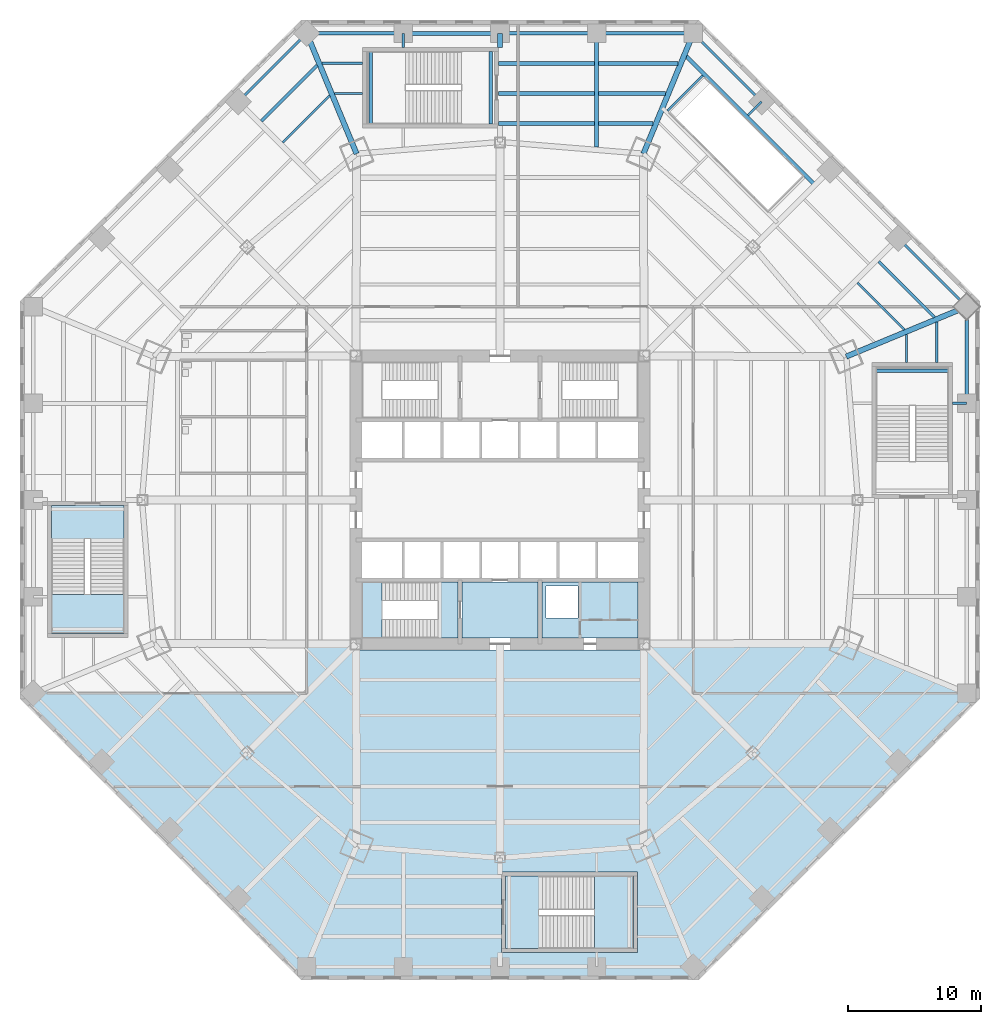
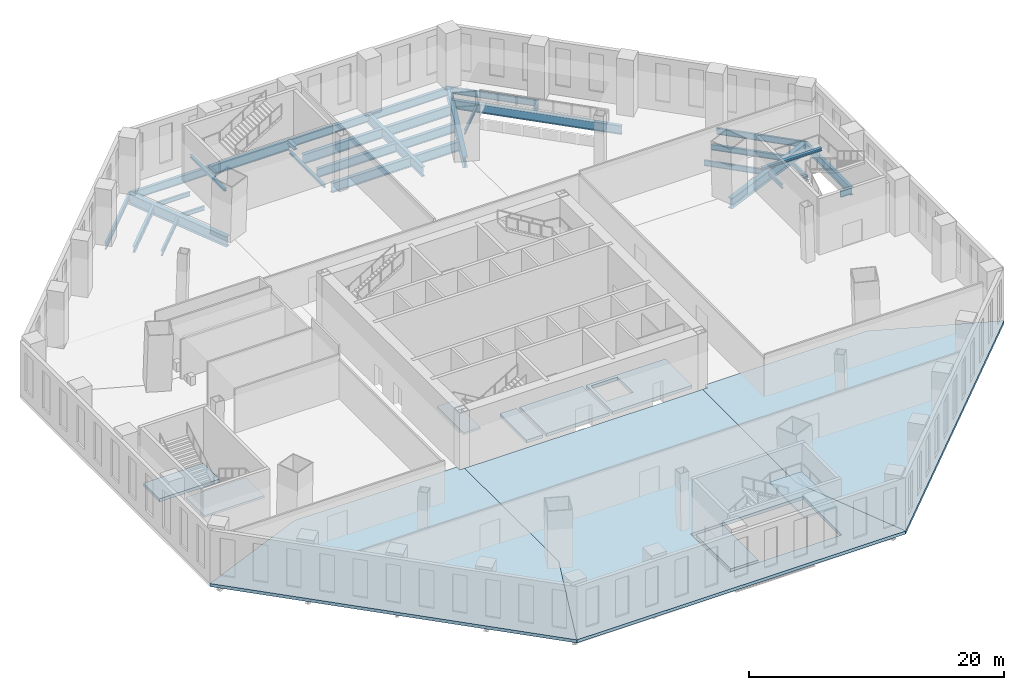
# One storey, part 6 of 18: 31 beams, 11 slabs, 4 members, 3 elements without a shape of their own.
"""IFC4 building model written with IfcOpenShell, lengths in metres."""

from ifc_helpers import new_model, si_unit, direction, frame, origin, origin_2d, place, context, subcontext, project, spatial, polyline, i_section, outline, extrude, source, transform, mapped, material, layer, layer_set, material_profile, profile_set, type_object, type_shapes, element, aggregate, save


model = new_model("IFC4")

# Units and contexts
model_context = context("Model", 3, precision=1e-05, world=origin(), true_north=direction((0.0, 1.0)))
body_context = subcontext(model_context, "Body", "Model", "MODEL_VIEW")
ifc_project = project(units=[si_unit("LENGTHUNIT", "METRE"), si_unit("AREAUNIT", "SQUARE_METRE"), si_unit("VOLUMEUNIT", "CUBIC_METRE"), si_unit("PLANEANGLEUNIT", "RADIAN"), si_unit("MASSUNIT", "GRAM", prefix="KILO")], contexts=[model_context])

# Site, building, storey
site_placement = place(None, origin())
site = spatial("IfcSite", under=ifc_project, at=site_placement, CompositionType="ELEMENT")
building_placement = place(site_placement, origin())
building = spatial("IfcBuilding", under=site, at=building_placement, Name="Mashrafa Tower", CompositionType="ELEMENT")
storey_placement = place(building_placement, frame((0.0, 0.0, 13.199951171875)))
storey = spatial("IfcBuildingStorey", under=building, at=storey_placement, Name="L02", CompositionType="ELEMENT", Elevation=13.199951171875)

# Beams
ifc_material_1 = material(Name="Steel ASTM A992", Category="steel")
ifc_material_profile_1 = material_profile(ifc_material_1, i_section(OverallWidth=0.140380859375, OverallDepth=0.40380859375, WebThickness=0.007080078125, FlangeThickness=0.01123046875, FilletRadius=0.01025390625, at=origin_2d()), Name="W16X31")
ifc_profile_set_1 = profile_set([ifc_material_profile_1], Name="Steel ASTM A992")
beam_type_1 = type_object("IfcBeamType", Name="Beam W16X31", PredefinedType="BEAM", material=ifc_profile_set_1)
beam_1_placement = place(storey_placement, frame((12.56591796875, 29.200439453125, -0.501953125), z_axis=(0.707139588238, 0.707073972613, 0.0), x_axis=(-0.707073972613, 0.707139588238, 0.0)))
element("IfcBeam", 1, at=beam_1_placement, inside=storey, type_object=beam_type_1, Name="Header beam L02 122", PredefinedType="BEAM", context=body_context, shape_type="SweptSolid", body=[
    extrude(i_section(OverallWidth=0.140380859375, OverallDepth=0.40380859375, WebThickness=0.007080078125, FlangeThickness=0.01123046875, FilletRadius=0.01025390625, at=origin_2d()), origin(), (0.0, 0.0, 1.0), 3.720703125),
])
ifc_material_2 = material(Name="Steel ASTM A992", Category="steel")
ifc_material_profile_2 = material_profile(ifc_material_2, i_section(OverallWidth=0.177734375, OverallDepth=0.406494140625, WebThickness=0.0078125, FlangeThickness=0.012939453125, FilletRadius=0.01025390625, at=origin_2d()), Name="W16X40")
ifc_profile_set_2 = profile_set([ifc_material_profile_2], Name="Steel ASTM A992")
beam_type_2 = type_object("IfcBeamType", Name="Beam W16X40", PredefinedType="BEAM", material=ifc_profile_set_2)
beam_2_placement = place(storey_placement, frame((-13.345458984375, 32.742919921875, -0.503173828125), z_axis=(1.0, 0.0, 0.0), x_axis=(0.0, 1.0, 0.0)))
element("IfcBeam", 2, at=beam_2_placement, inside=storey, type_object=beam_type_2, Name="Floor beam L02 039", PredefinedType="BEAM", context=body_context, shape_type="SweptSolid", body=[
    extrude(i_section(OverallWidth=0.177734375, OverallDepth=0.406494140625, WebThickness=0.0078125, FlangeThickness=0.012939453125, FilletRadius=0.01025390625, at=origin_2d()), origin(), (0.0, 0.0, 1.0), 3.04541015625),
])
for number, where, z_axis, x_axis, name in (
    (3, (-12.410400390625, 30.48583984375, -0.503173828125), (1.0, 0.0, 0.0), (0.0, 1.0, 0.0), "Floor beam L02 045"),
    (4, (30.48583984375, 12.410400390625, -0.503173828125), (0.0, -1.0, 0.0), (1.0, 0.0, 0.0), "Floor beam L02 118"),
):
    element("IfcBeam", number, at=place(storey_placement, frame(where, z_axis=z_axis, x_axis=x_axis)), inside=storey, type_object=beam_type_2, Name=name, PredefinedType="BEAM", context=body_context, shape_type="SweptSolid", body=[
        extrude(i_section(OverallWidth=0.177734375, OverallDepth=0.406494140625, WebThickness=0.0078125, FlangeThickness=0.012939453125, FilletRadius=0.01025390625, at=origin_2d()), origin(), (0.0, 0.0, 1.0), 2.1103515625),
    ])
beam_3_placement = place(storey_placement, frame((32.742919921875, 13.345458984375, -0.503173828125), z_axis=(0.0, -1.0, 0.0), x_axis=(1.0, 0.0, 0.0)))
element("IfcBeam", 5, at=beam_3_placement, inside=storey, type_object=beam_type_2, Name="Floor beam L02 121", PredefinedType="BEAM", context=body_context, shape_type="SweptSolid", body=[
    extrude(i_section(OverallWidth=0.177734375, OverallDepth=0.406494140625, WebThickness=0.0078125, FlangeThickness=0.012939453125, FilletRadius=0.01025390625, at=origin_2d()), origin(), (0.0, 0.0, 1.0), 3.04541015625),
])
ifc_material_3 = material(Name="Steel ASTM A992", Category="steel")
ifc_material_profile_3 = material_profile(ifc_material_3, i_section(OverallWidth=0.165771484375, OverallDepth=0.5283203125, WebThickness=0.009765625, FlangeThickness=0.013671875, FilletRadius=0.012939453125, at=origin_2d()), Name="W21X50")
ifc_profile_set_3 = profile_set([ifc_material_profile_3], Name="Steel ASTM A992")
beam_type_3 = type_object("IfcBeamType", Name="Beam W21X50", PredefinedType="BEAM", material=ifc_profile_set_3)
for number, where, z_axis, x_axis, name in (
    (6, (-16.289306640625, 26.82421875, -0.564208984375), (0.707106781187, 0.707106781187, 0.0), (-0.707106781187, 0.707106781187, 0.0), "Floor beam L02 030"),
    (7, (26.82421875, 16.289306640625, -0.564208984375), (0.707106781187, -0.707106781187, 0.0), (0.707106781187, 0.707106781187, 0.0), "Floor beam L02 111"),
):
    element("IfcBeam", number, at=place(storey_placement, frame(where, z_axis=z_axis, x_axis=x_axis)), inside=storey, type_object=beam_type_3, Name=name, PredefinedType="BEAM", context=body_context, shape_type="SweptSolid", body=[
        extrude(i_section(OverallWidth=0.165771484375, OverallDepth=0.5283203125, WebThickness=0.009765625, FlangeThickness=0.013671875, FilletRadius=0.012939453125, at=origin_2d()), origin(), (0.0, 0.0, 1.0), 4.961181640625),
    ])
ifc_material_4 = material(Name="Steel ASTM A992", Category="steel")
ifc_material_profile_4 = material_profile(ifc_material_4, i_section(OverallWidth=0.209228515625, OverallDepth=0.533447265625, WebThickness=0.01025390625, FlangeThickness=0.015625, FilletRadius=0.012939453125, at=origin_2d()), Name="W21X62")
ifc_profile_set_4 = profile_set([ifc_material_profile_4], Name="Steel ASTM A992")
beam_type_4 = type_object("IfcBeamType", Name="Beam W21X62", PredefinedType="BEAM", material=ifc_profile_set_4)
beam_4_placement = place(storey_placement, frame((28.42041015625, 17.88525390625, -0.566650390625), z_axis=(0.707106781187, -0.707106781187, 0.0), x_axis=(0.707106781187, 0.707106781187, 0.0)))
element("IfcBeam", 8, at=beam_4_placement, inside=storey, type_object=beam_type_4, Name="Floor beam L02 115", PredefinedType="BEAM", context=body_context, shape_type="SweptSolid", body=[
    extrude(i_section(OverallWidth=0.209228515625, OverallDepth=0.533447265625, WebThickness=0.01025390625, FlangeThickness=0.015625, FilletRadius=0.012939453125, at=origin_2d()), origin(), (0.0, 0.0, 1.0), 5.895751953125),
])
ifc_material_5 = material(Name="Steel ASTM A992", Category="steel")
ifc_material_profile_5 = material_profile(ifc_material_5, i_section(OverallWidth=0.177978515625, OverallDepth=0.599365234375, WebThickness=0.010009765625, FlangeThickness=0.012939453125, FilletRadius=0.012939453125, at=origin_2d()), Name="W24X55")
ifc_profile_set_5 = profile_set([ifc_material_profile_5], Name="Steel ASTM A992")
beam_type_5 = type_object("IfcBeamType", Name="Beam W24X55", PredefinedType="BEAM", material=ifc_profile_set_5)
for number, where, z_axis, x_axis, name in (
    (9, (-14.49755859375, 35.0, -0.599609375), (-0.707106781187, -0.707106781187, 0.0), (0.707106781187, -0.707106781187, 0.0), "Podium edge beam L02 136"),
    (10, (19.623046875, 29.87451171875, -0.599609375), (-0.707106781187, 0.707106781187, 0.0), (-0.707106781187, -0.707106781187, 0.0), "Podium edge beam L02 146"),
    (11, (35.0, 14.49755859375, -0.599609375), (-0.707106781187, 0.707106781187, 0.0), (-0.707106781187, -0.707106781187, 0.0), "Podium edge beam L02 155"),
):
    element("IfcBeam", number, at=place(storey_placement, frame(where, z_axis=z_axis, x_axis=x_axis)), inside=storey, type_object=beam_type_5, Name=name, PredefinedType="BEAM", context=body_context, shape_type="SweptSolid", body=[
        extrude(i_section(OverallWidth=0.177978515625, OverallDepth=0.599365234375, WebThickness=0.010009765625, FlangeThickness=0.012939453125, FilletRadius=0.012939453125, at=origin_2d()), origin(), (0.0, 0.0, 1.0), 7.24853515625),
    ])
ifc_material_6 = material(Name="Steel ASTM A992", Category="steel")
ifc_material_profile_6 = material_profile(ifc_material_6, i_section(OverallWidth=0.227783203125, OverallDepth=0.60205078125, WebThickness=0.010498046875, FlangeThickness=0.014892578125, FilletRadius=0.012939453125, at=origin_2d()), Name="W24X68")
ifc_profile_set_6 = profile_set([ifc_material_profile_6], Name="Steel ASTM A992")
beam_type_6 = type_object("IfcBeamType", Name="Beam W24X68", PredefinedType="BEAM", material=ifc_profile_set_6)
beam_5_placement = place(storey_placement, frame((-17.88525390625, 28.42041015625, -0.600830078125), z_axis=(0.707106781187, 0.707106781187, 0.0), x_axis=(-0.707106781187, 0.707106781187, 0.0)))
element("IfcBeam", 12, at=beam_5_placement, inside=storey, type_object=beam_type_6, Name="Floor beam L02 026", PredefinedType="BEAM", context=body_context, shape_type="SweptSolid", body=[
    extrude(i_section(OverallWidth=0.227783203125, OverallDepth=0.60205078125, WebThickness=0.010498046875, FlangeThickness=0.014892578125, FilletRadius=0.012939453125, at=origin_2d()), origin(), (0.0, 0.0, 1.0), 5.895751953125),
])
ifc_material_7 = material(Name="Steel ASTM A992", Category="steel")
ifc_material_profile_7 = material_profile(ifc_material_7, i_section(OverallWidth=0.2666015625, OverallDepth=0.75439453125, WebThickness=0.01318359375, FlangeThickness=0.01708984375, FilletRadius=0.0166015625, at=origin_2d()), Name="W30X99")
ifc_profile_set_7 = profile_set([ifc_material_profile_7], Name="Steel ASTM A992")
beam_type_7 = type_object("IfcBeamType", Name="Beam W30X99", PredefinedType="BEAM", material=ifc_profile_set_7)
for number, where, z_axis, x_axis, name in (
    (13, (-7.248779296875, 35.0, -0.67724609375), (-1.0, 0.0, 0.0), (0.0, -1.0, 0.0), "Podium edge beam L02 138"),
    (14, (7.248779296875, 35.0, -0.67724609375), (-1.0, 0.0, 0.0), (0.0, -1.0, 0.0), "Podium edge beam L02 142"),
    (15, (14.49755859375, 35.0, -0.67724609375), (-1.0, 0.0, 0.0), (0.0, -1.0, 0.0), "Podium edge beam L02 144"),
    (16, (35.0, 7.248779296875, -0.67724609375), (0.0, 1.0, 0.0), (-1.0, 0.0, 0.0), "Podium edge beam L02 154"),
):
    element("IfcBeam", number, at=place(storey_placement, frame(where, z_axis=z_axis, x_axis=x_axis)), inside=storey, type_object=beam_type_7, Name=name, PredefinedType="BEAM", context=body_context, shape_type="SweptSolid", body=[
        extrude(i_section(OverallWidth=0.2666015625, OverallDepth=0.75439453125, WebThickness=0.01318359375, FlangeThickness=0.01708984375, FilletRadius=0.0166015625, at=origin_2d()), origin(), (0.0, 0.0, 1.0), 7.248779296875),
    ])
ifc_material_8 = material(Name="Steel ASTM A992", Category="steel")
ifc_material_profile_8 = material_profile(ifc_material_8, i_section(OverallWidth=0.2919921875, OverallDepth=0.8408203125, WebThickness=0.0146484375, FlangeThickness=0.021728515625, FilletRadius=0.017333984375, at=origin_2d()), Name="W33X130")
ifc_profile_set_8 = profile_set([ifc_material_profile_8], Name="Steel ASTM A992")
beam_type_8 = type_object("IfcBeamType", Name="Beam W33X130", PredefinedType="BEAM", material=ifc_profile_set_8)
beam_6_placement = place(storey_placement, frame((23.617431640625, 23.617431640625, -0.72021484375), z_axis=(-0.707115604635, 0.707097957628, 0.0), x_axis=(-0.707097957628, -0.707115604635, 0.0)))
element("IfcBeam", 17, at=beam_6_placement, inside=storey, type_object=beam_type_8, Name="Trimmer beam L02 230", PredefinedType="BEAM", context=body_context, shape_type="SweptSolid", body=[
    extrude(i_section(OverallWidth=0.2919921875, OverallDepth=0.8408203125, WebThickness=0.0146484375, FlangeThickness=0.021728515625, FilletRadius=0.017333984375, at=origin_2d()), origin(), (0.0, 0.0, 1.0), 13.834716796875),
])
ifc_material_9 = material(Name="Steel ASTM A992", Category="steel")
ifc_material_profile_9 = material_profile(ifc_material_9, i_section(OverallWidth=0.2919921875, OverallDepth=0.8583984375, WebThickness=0.01708984375, FlangeThickness=0.031005859375, FilletRadius=0.017822265625, at=origin_2d()), Name="W33X169")
ifc_profile_set_9 = profile_set([ifc_material_profile_9], Name="Steel ASTM A992")
beam_type_9 = type_object("IfcBeamType", Name="Beam W33X169", PredefinedType="BEAM", material=ifc_profile_set_9)
beam_7_placement = place(storey_placement, frame((-0.10009765625, 30.48583984375, -0.729248046875), z_axis=(1.0, 0.0, 0.0), x_axis=(0.0, 1.0, 0.0)))
element("IfcBeam", 18, at=beam_7_placement, inside=storey, type_object=beam_type_9, Name="Floor beam L02 056 part 1", PredefinedType="BEAM", context=body_context, shape_type="SweptSolid", body=[
    extrude(i_section(OverallWidth=0.2919921875, OverallDepth=0.8583984375, WebThickness=0.01708984375, FlangeThickness=0.031005859375, FilletRadius=0.017822265625, at=origin_2d()), origin(), (0.0, 0.0, 1.0), 7.195068359375),
])
beam_8_placement = place(storey_placement, frame((7.40234375, 30.48583984375, -0.729248046875), z_axis=(1.0, 0.0, 0.0), x_axis=(0.0, 1.0, 0.0)))
element("IfcBeam", 19, at=beam_8_placement, inside=storey, type_object=beam_type_9, Name="Floor beam L02 056 part 2", PredefinedType="BEAM", context=body_context, shape_type="SweptSolid", body=[
    extrude(i_section(OverallWidth=0.2919921875, OverallDepth=0.8583984375, WebThickness=0.01708984375, FlangeThickness=0.031005859375, FilletRadius=0.017822265625, at=origin_2d()), origin(), (0.0, 0.0, 1.0), 5.008056640625),
])
ifc_material_10 = material(Name="Steel ASTM A992", Category="steel")
ifc_material_profile_10 = material_profile(ifc_material_10, i_section(OverallWidth=0.3046875, OverallDepth=0.911865234375, WebThickness=0.015869140625, FlangeThickness=0.02392578125, FilletRadius=0.01904296875, at=origin_2d()), Name="W36X150")
ifc_profile_set_10 = profile_set([ifc_material_profile_10], Name="Steel ASTM A992")
beam_type_10 = type_object("IfcBeamType", Name="Beam W36X150", PredefinedType="BEAM", material=ifc_profile_set_10)
beam_9_placement = place(storey_placement, frame((0.0, 35.0, -0.755859375), z_axis=(-1.0, 0.0, 0.0), x_axis=(0.0, -1.0, 0.0)))
element("IfcBeam", 20, at=beam_9_placement, inside=storey, type_object=beam_type_10, Name="Podium edge beam L02 140", PredefinedType="BEAM", context=body_context, shape_type="SweptSolid", body=[
    extrude(i_section(OverallWidth=0.3046875, OverallDepth=0.911865234375, WebThickness=0.015869140625, FlangeThickness=0.02392578125, FilletRadius=0.01904296875, at=origin_2d()), origin(), (0.0, 0.0, 1.0), 7.248779296875),
])
ifc_material_11 = material(Name="Steel ASTM A992", Category="steel")
ifc_material_profile_11 = material_profile(ifc_material_11, i_section(OverallWidth=0.307373046875, OverallDepth=0.927001953125, WebThickness=0.01953125, FlangeThickness=0.031982421875, FilletRadius=0.01904296875, at=origin_2d()), Name="W36X194")
ifc_profile_set_11 = profile_set([ifc_material_profile_11], Name="Steel ASTM A992")
beam_type_11 = type_object("IfcBeamType", Name="Beam W36X194", PredefinedType="BEAM", material=ifc_profile_set_11)
beam_10_placement = place(storey_placement, frame((-0.10009765625, 28.228759765625, -0.763427734375), z_axis=(1.0, 0.0, 0.0), x_axis=(0.0, 1.0, 0.0)))
element("IfcBeam", 21, at=beam_10_placement, inside=storey, type_object=beam_type_11, Name="Floor beam L02 055 part 1", PredefinedType="BEAM", context=body_context, shape_type="SweptSolid", body=[
    extrude(i_section(OverallWidth=0.307373046875, OverallDepth=0.927001953125, WebThickness=0.01953125, FlangeThickness=0.031982421875, FilletRadius=0.01904296875, at=origin_2d()), origin(), (0.0, 0.0, 1.0), 7.195068359375),
])
beam_11_placement = place(storey_placement, frame((7.40234375, 28.228759765625, -0.763427734375), z_axis=(1.0, 0.0, 0.0), x_axis=(0.0, 1.0, 0.0)))
element("IfcBeam", 22, at=beam_11_placement, inside=storey, type_object=beam_type_11, Name="Floor beam L02 055 part 2", PredefinedType="BEAM", context=body_context, shape_type="SweptSolid", body=[
    extrude(i_section(OverallWidth=0.307373046875, OverallDepth=0.927001953125, WebThickness=0.01953125, FlangeThickness=0.031982421875, FilletRadius=0.01904296875, at=origin_2d()), origin(), (0.0, 0.0, 1.0), 4.0732421875),
])
beam_12_placement = place(storey_placement, frame((-0.10009765625, 32.742919921875, -0.763427734375), z_axis=(1.0, 0.0, 0.0), x_axis=(0.0, 1.0, 0.0)))
element("IfcBeam", 23, at=beam_12_placement, inside=storey, type_object=beam_type_11, Name="Floor beam L02 057 part 1", PredefinedType="BEAM", context=body_context, shape_type="SweptSolid", body=[
    extrude(i_section(OverallWidth=0.307373046875, OverallDepth=0.927001953125, WebThickness=0.01953125, FlangeThickness=0.031982421875, FilletRadius=0.01904296875, at=origin_2d()), origin(), (0.0, 0.0, 1.0), 7.195068359375),
])
beam_13_placement = place(storey_placement, frame((7.40234375, 32.742919921875, -0.763427734375), z_axis=(1.0, 0.0, 0.0), x_axis=(0.0, 1.0, 0.0)))
element("IfcBeam", 24, at=beam_13_placement, inside=storey, type_object=beam_type_11, Name="Floor beam L02 057 part 2", PredefinedType="BEAM", context=body_context, shape_type="SweptSolid", body=[
    extrude(i_section(OverallWidth=0.307373046875, OverallDepth=0.927001953125, WebThickness=0.01953125, FlangeThickness=0.031982421875, FilletRadius=0.01904296875, at=origin_2d()), origin(), (0.0, 0.0, 1.0), 5.943115234375),
])
beam_14_placement = place(storey_placement, frame((7.248779296875, 26.45947265625, -0.763427734375), z_axis=(0.0, 1.0, 0.0), x_axis=(-1.0, 0.0, 0.0)))
element("IfcBeam", 25, at=beam_14_placement, inside=storey, type_object=beam_type_11, Name="Podium radial beam L02 180", PredefinedType="BEAM", context=body_context, shape_type="SweptSolid", body=[
    extrude(i_section(OverallWidth=0.307373046875, OverallDepth=0.927001953125, WebThickness=0.01953125, FlangeThickness=0.031982421875, FilletRadius=0.01904296875, at=origin_2d()), origin(), (0.0, 0.0, 1.0), 8.54052734375),
])
ifc_material_12 = material(Name="Steel ASTM A992", Category="steel")
ifc_material_profile_12 = material_profile(ifc_material_12, i_section(OverallWidth=0.4013671875, OverallDepth=1.010986328125, WebThickness=0.023681640625, FlangeThickness=0.0419921875, FilletRadius=0.02001953125, at=origin_2d()), Name="W40X297")
ifc_profile_set_12 = profile_set([ifc_material_profile_12], Name="Steel ASTM A992")
beam_type_12 = type_object("IfcBeamType", Name="Beam W40X297", PredefinedType="BEAM", material=ifc_profile_set_12)
for number, where, z_axis, x_axis, name in (
    (26, (-10.7578125, 25.9716796875, -0.805419921875), (-0.382691588167, 0.923876154225, 0.0), (-0.923876154225, -0.382691588167, 0.0), "Podium radial beam L02 170"),
    (27, (10.7578125, 25.9716796875, -0.805419921875), (0.382691588167, 0.923876154225, 0.0), (-0.923876154225, 0.382691588167, 0.0), "Podium radial beam L02 182"),
    (28, (25.9716796875, 10.7578125, -0.805419921875), (0.923876154225, 0.382691588167, 0.0), (-0.382691588167, 0.923876154225, 0.0), "Podium radial beam L02 191"),
):
    element("IfcBeam", number, at=place(storey_placement, frame(where, z_axis=z_axis, x_axis=x_axis)), inside=storey, type_object=beam_type_12, Name=name, PredefinedType="BEAM", context=body_context, shape_type="SweptSolid", body=[
        extrude(i_section(OverallWidth=0.4013671875, OverallDepth=1.010986328125, WebThickness=0.023681640625, FlangeThickness=0.0419921875, FilletRadius=0.02001953125, at=origin_2d()), origin(), (0.0, 0.0, 1.0), 9.772216796875),
    ])
ifc_material_13 = material(Name="Steel ASTM A992", Category="steel")
ifc_material_profile_13 = material_profile(ifc_material_13, i_section(OverallWidth=0.25390625, OverallDepth=0.25390625, WebThickness=0.008544921875, FlangeThickness=0.01416015625, FilletRadius=0.010009765625, at=origin_2d()), Name="W10X49")
ifc_profile_set_13 = profile_set([ifc_material_profile_13], Name="Steel ASTM A992")
beam_type_13 = type_object("IfcBeamType", Name="Hoistway beam W10X49", PredefinedType="BEAM", material=ifc_profile_set_13)
for number, where, z_axis, x_axis, name in (
    (29, (28.199951171875, 9.699951171875, 2.373046875), (1.0, 0.0, 0.0), (0.0, 1.0, 0.0), "Stair P1 landing beam L02"),
    (30, (-0.699951171875, 28.199951171875, -0.427001953125), (0.0, 1.0, 0.0), (-1.0, 0.0, 0.0), "Stair P2 landing beam L02"),
    (31, (-9.699951171875, 28.199951171875, 2.373046875), (0.0, 1.0, 0.0), (-1.0, 0.0, 0.0), "Stair P2 landing beam L02"),
):
    element("IfcBeam", number, at=place(storey_placement, frame(where, z_axis=z_axis, x_axis=x_axis)), inside=storey, type_object=beam_type_13, Name=name, PredefinedType="BEAM", context=body_context, shape_type="SweptSolid", body=[
        extrude(i_section(OverallWidth=0.25390625, OverallDepth=0.25390625, WebThickness=0.008544921875, FlangeThickness=0.01416015625, FilletRadius=0.010009765625, at=origin_2d()), origin(), (0.0, 0.0, 1.0), 5.449951171875),
    ])

# Members
ifc_material_14 = material(Name="Steel ASTM A992", Category="steel")
ifc_material_profile_14 = material_profile(ifc_material_14, i_section(OverallWidth=0.177978515625, OverallDepth=0.599365234375, WebThickness=0.010009765625, FlangeThickness=0.012939453125, FilletRadius=0.012939453125, at=origin_2d()), Name="W24X55")
ifc_profile_set_14 = profile_set([ifc_material_profile_14], Name="Steel ASTM A992")
member_type_1 = type_object("IfcMemberType", Name="Tie strut W24X55", PredefinedType="STRUT", material=ifc_profile_set_14)
shared_shape_1 = source(origin(), body_context, "Body", "SweptSolid", [
    extrude(i_section(OverallWidth=0.177978515625, OverallDepth=0.599365234375, WebThickness=0.010009765625, FlangeThickness=0.012939453125, FilletRadius=0.012939453125, at=origin_2d()), origin(), (0.0, 0.0, 1.0), 1.050048828125),
])
for number, where, z_axis, x_axis, name in (
    (32, (-7.248779296875, 33.949951171875, -0.599609375), (0.0, 1.0, 0.0), (-1.0, 0.0, 0.0), "Tie strut L02 173"),
    (33, (33.949951171875, 7.248779296875, -0.599609375), (1.0, 0.0, 0.0), (0.0, 1.0, 0.0), "Tie strut L02 196"),
):
    element("IfcMember", number, at=place(storey_placement, frame(where, z_axis=z_axis, x_axis=x_axis)), inside=storey, type_object=member_type_1, Name=name, PredefinedType="STRUT", context=body_context, shape_type="MappedRepresentation", body=[
        mapped(shared_shape_1, transform((0.0, 0.0, 0.0))),
    ])
ifc_material_15 = material(Name="Steel ASTM A992", Category="steel")
ifc_material_profile_15 = material_profile(ifc_material_15, i_section(OverallWidth=0.368408203125, OverallDepth=0.355712890625, WebThickness=0.01123046875, FlangeThickness=0.01806640625, FilletRadius=0.01513671875, at=origin_2d()), Name="W14X90")
ifc_profile_set_15 = profile_set([ifc_material_profile_15], Name="Steel ASTM A992")
member_type_2 = type_object("IfcMemberType", Name="Tie strut W14X90", PredefinedType="STRUT", material=ifc_profile_set_15)
shared_shape_2 = source(origin(), body_context, "Body", "SweptSolid", [
    extrude(i_section(OverallWidth=0.368408203125, OverallDepth=0.355712890625, WebThickness=0.01123046875, FlangeThickness=0.01806640625, FilletRadius=0.01513671875, at=origin_2d()), origin(), (0.0, 0.0, 1.0), 1.050048828125),
])
type_shapes(member_type_2, [shared_shape_2])
member_1_placement = place(storey_placement, frame((0.0, 33.949951171875, -0.477783203125), z_axis=(0.0, 1.0, 0.0), x_axis=(-1.0, 0.0, 0.0)))
element("IfcMember", 34, at=member_1_placement, inside=storey, type_object=member_type_2, Name="Tie strut L02 177", PredefinedType="STRUT", context=body_context, shape_type="MappedRepresentation", body=[
    mapped(shared_shape_2, transform((0.0, 0.0, 0.0))),
])
shared_shape_3 = source(origin(), body_context, "Body", "SweptSolid", [
    extrude(i_section(OverallWidth=0.177978515625, OverallDepth=0.599365234375, WebThickness=0.010009765625, FlangeThickness=0.012939453125, FilletRadius=0.012939453125, at=origin_2d()), origin(), (0.0, 0.0, 1.0), 1.4541015625),
])
type_shapes(member_type_1, [shared_shape_1, shared_shape_3])
member_2_placement = place(storey_placement, frame((18.594970703125, 28.84619140625, -0.599609375), z_axis=(0.707022826687, 0.70719072572, 0.0), x_axis=(-0.70719072572, 0.707022826687, 0.0)))
element("IfcMember", 35, at=member_2_placement, inside=storey, type_object=member_type_1, Name="Tie strut L02 185", PredefinedType="STRUT", context=body_context, shape_type="MappedRepresentation", body=[
    mapped(shared_shape_3, transform((0.0, 0.0, 0.0))),
])

# Slabs
ifc_material_16 = material(Name="Concrete C35/45", Category="concrete")
ifc_layer_1 = layer(ifc_material_16, 0.300048828125)
ifc_layer_set_1 = layer_set([ifc_layer_1], Name="Floor slab 300")
slab_type_1 = type_object("IfcSlabType", Name="Floor slab 300", PredefinedType="FLOOR", material=ifc_layer_set_1)
slab_1_placement = place(storey_placement, frame((0.0, 0.0, -0.300048828125)))
element("IfcSlab", 36, at=slab_1_placement, inside=storey, type_object=slab_type_1, Name="Floor slab L02 south-west bay", PredefinedType="FLOOR", context=body_context, shape_type="SweptSolid", body=[
    extrude(outline(polyline([(-36.0, -14.91162109375), (-25.9716796875, -10.7578125), (-11.25, -10.798828125), (-11.25, -11.25), (-10.798828125, -11.25), (-10.7578125, -25.9716796875), (-14.91162109375, -36.0), (-36.0, -14.91162109375)])), origin(), (0.0, 0.0, 1.0), 0.300048828125),
])
slab_2_placement = place(storey_placement, frame((0.0, 0.0, -0.300048828125)))
element("IfcSlab", 37, at=slab_2_placement, inside=storey, type_object=slab_type_1, Name="Floor slab L02 south bay", PredefinedType="FLOOR", context=body_context, shape_type="SweptSolid", body=[
    extrude(outline(polyline([(-14.91162109375, -36.0), (-14.91162109375, -36.0), (-10.7578125, -25.9716796875), (-10.798828125, -11.25), (10.798828125, -11.25), (10.7578125, -25.9716796875), (14.91162109375, -36.0), (14.91162109375, -36.0), (-14.91162109375, -36.0)]), holes=[polyline([(10.300048828125, -33.949951171875), (10.300048828125, -27.89990234375), (0.10009765625, -27.89990234375), (0.10009765625, -33.949951171875), (10.300048828125, -33.949951171875)])]), origin(), (0.0, 0.0, 1.0), 0.300048828125),
])
slab_3_placement = place(storey_placement, frame((0.0, 0.0, -0.300048828125)))
element("IfcSlab", 38, at=slab_3_placement, inside=storey, type_object=slab_type_1, Name="Floor slab L02 south-east bay", PredefinedType="FLOOR", context=body_context, shape_type="SweptSolid", body=[
    extrude(outline(polyline([(14.91162109375, -36.0), (10.7578125, -25.9716796875), (10.798828125, -11.25), (11.25, -11.25), (11.25, -10.798828125), (25.9716796875, -10.7578125), (36.0, -14.91162109375), (14.91162109375, -36.0)])), origin(), (0.0, 0.0, 1.0), 0.300048828125),
])
slab_4_placement = place(storey_placement, frame((0.0, 0.0, -0.300048828125)))
element("IfcSlab", 39, at=slab_4_placement, inside=storey, type_object=slab_type_1, Name="Core floor riser and electrical band L02", PredefinedType="FLOOR", context=body_context, shape_type="SweptSolid", body=[
    extrude(outline(polyline([(10.35009765625, -6.14990234375), (10.35009765625, -10.35009765625), (3.14990234375, -10.35009765625), (3.14990234375, -6.14990234375), (10.35009765625, -6.14990234375)]), holes=[polyline([(3.449951171875, -6.449951171875), (3.449951171875, -8.85009765625), (5.85009765625, -8.85009765625), (5.85009765625, -6.449951171875), (3.449951171875, -6.449951171875)])]), origin(), (0.0, 0.0, 1.0), 0.300048828125),
])
slab_5_placement = place(storey_placement, frame((0.0, 0.0, -0.300048828125)))
element("IfcSlab", 40, at=slab_5_placement, inside=storey, type_object=slab_type_1, Name="Core floor fire-fighting lobby south L02", PredefinedType="FLOOR", context=body_context, shape_type="SweptSolid", body=[
    extrude(outline(polyline([(2.85009765625, -6.14990234375), (2.85009765625, -10.35009765625), (-2.85009765625, -10.35009765625), (-2.85009765625, -6.14990234375), (2.85009765625, -6.14990234375)])), origin(), (0.0, 0.0, 1.0), 0.300048828125),
])

# Stair, slab
ifc_material_17 = material(Name="Exit stair 1400")
stair_type_1 = type_object("IfcStairType", Name="Exit stair 1400", PredefinedType="HALF_TURN_STAIR", material=ifc_material_17)
stair_1_placement = place(storey_placement, origin())
stair_1 = element("IfcStair", 41, at=stair_1_placement, inside=storey, type_object=stair_type_1, Name="Stair S3 L02", PredefinedType="HALF_TURN_STAIR")
ifc_material_18 = material(Name="Concrete C32/40", Category="concrete")
ifc_layer_2 = layer(ifc_material_18, 0.199951171875)
ifc_layer_set_2 = layer_set([ifc_layer_2], Name="Stair landing 200")
slab_type_2 = type_object("IfcSlabType", Name="Stair landing 200", PredefinedType="LANDING", material=ifc_layer_set_2)
slab_6_placement = place(storey_placement, frame((0.0, 0.0, 2.5)))
slab_6 = element("IfcSlab", 42, at=slab_6_placement, type_object=slab_type_2, Name="S3 landing 2", PredefinedType="LANDING", context=body_context, shape_type="SweptSolid", body=[
    extrude(outline(polyline([(-10.35009765625, -10.35009765625), (-8.840087890625, -10.35009765625), (-8.840087890625, -6.14990234375), (-10.35009765625, -6.14990234375), (-10.35009765625, -10.35009765625)])), origin(), (0.0, 0.0, 1.0), 0.199951171875),
])

ifc_material_19 = material(Name="Exit stair 2500")
stair_type_2 = type_object("IfcStairType", Name="Exit stair 2500", PredefinedType="HALF_TURN_STAIR", material=ifc_material_19)
stair_2_placement = place(storey_placement, origin())
stair_2 = element("IfcStair", 43, at=stair_2_placement, inside=storey, type_object=stair_type_2, Name="Stair P3 L02", PredefinedType="HALF_TURN_STAIR")
slab_7_placement = place(storey_placement, frame((0.0, 0.0, 2.5)))
slab_7 = element("IfcSlab", 44, at=slab_7_placement, type_object=slab_type_2, Name="P3 landing 2", PredefinedType="LANDING", context=body_context, shape_type="SweptSolid", body=[
    extrude(outline(polyline([(-28.199951171875, -10.0), (-28.199951171875, -7.090087890625), (-33.64990234375, -7.090087890625), (-33.64990234375, -10.0), (-28.199951171875, -10.0)])), origin(), (0.0, 0.0, 1.0), 0.199951171875),
])

stair_3_placement = place(storey_placement, origin())
stair_3 = element("IfcStair", 45, at=stair_3_placement, inside=storey, type_object=stair_type_2, Name="Stair P4 L02", PredefinedType="HALF_TURN_STAIR")
slab_8_placement = place(storey_placement, frame((0.0, 0.0, 2.5)))
slab_8 = element("IfcSlab", 46, at=slab_8_placement, type_object=slab_type_2, Name="P4 landing 2", PredefinedType="LANDING", context=body_context, shape_type="SweptSolid", body=[
    extrude(outline(polyline([(7.090087890625, -33.64990234375), (10.0, -33.64990234375), (10.0, -28.199951171875), (7.090087890625, -28.199951171875), (7.090087890625, -33.64990234375)])), origin(), (0.0, 0.0, 1.0), 0.199951171875),
])

# Slab
ifc_material_20 = material(Name="Concrete C32/40", Category="concrete")
ifc_layer_3 = layer(ifc_material_20, 0.300048828125)
ifc_layer_set_3 = layer_set([ifc_layer_3], Name="Stair landing 300")
slab_type_3 = type_object("IfcSlabType", Name="Stair landing 300", PredefinedType="LANDING", material=ifc_layer_set_3)
slab_9_placement = place(storey_placement, frame((0.0, 0.0, -0.300048828125)))
slab_9 = element("IfcSlab", 47, at=slab_9_placement, type_object=slab_type_3, Name="S3 landing 1", PredefinedType="LANDING", context=body_context, shape_type="SweptSolid", body=[
    extrude(outline(polyline([(-4.659912109375, -10.35009765625), (-3.14990234375, -10.35009765625), (-3.14990234375, -6.14990234375), (-4.659912109375, -6.14990234375), (-4.659912109375, -10.35009765625)])), origin(), (0.0, 0.0, 1.0), 0.300048828125),
])

aggregate(stair_1, [slab_9, slab_6])

slab_10_placement = place(storey_placement, frame((0.0, 0.0, -0.300048828125)))
slab_10 = element("IfcSlab", 48, at=slab_10_placement, type_object=slab_type_3, Name="P3 landing 1", PredefinedType="LANDING", context=body_context, shape_type="SweptSolid", body=[
    extrude(outline(polyline([(-28.199951171875, -2.909912109375), (-28.199951171875, -0.39990234375), (-33.64990234375, -0.39990234375), (-33.64990234375, -2.909912109375), (-28.199951171875, -2.909912109375)])), origin(), (0.0, 0.0, 1.0), 0.300048828125),
])

aggregate(stair_2, [slab_10, slab_7])

slab_11_placement = place(storey_placement, frame((0.0, 0.0, -0.300048828125)))
slab_11 = element("IfcSlab", 49, at=slab_11_placement, type_object=slab_type_3, Name="P4 landing 1", PredefinedType="LANDING", context=body_context, shape_type="SweptSolid", body=[
    extrude(outline(polyline([(0.39990234375, -33.64990234375), (2.909912109375, -33.64990234375), (2.909912109375, -28.199951171875), (0.39990234375, -28.199951171875), (0.39990234375, -33.64990234375)])), origin(), (0.0, 0.0, 1.0), 0.300048828125),
])

aggregate(stair_3, [slab_11, slab_8])

save(model, "model.ifc")
